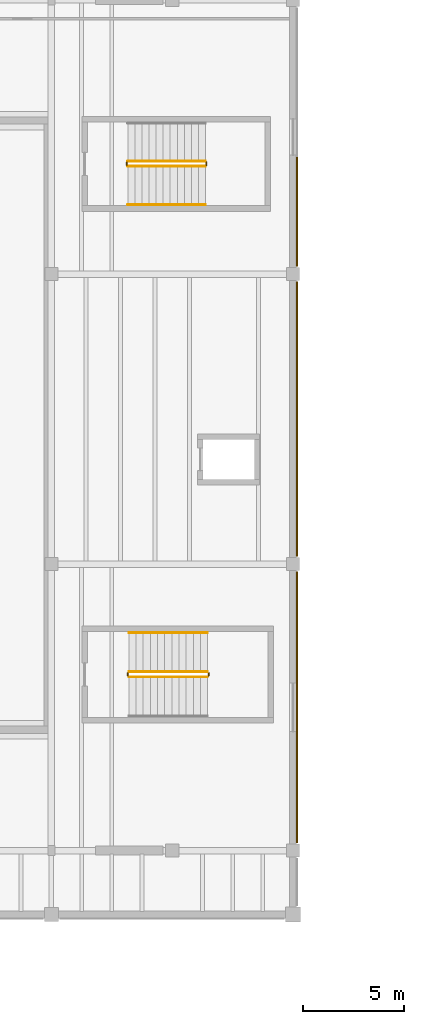
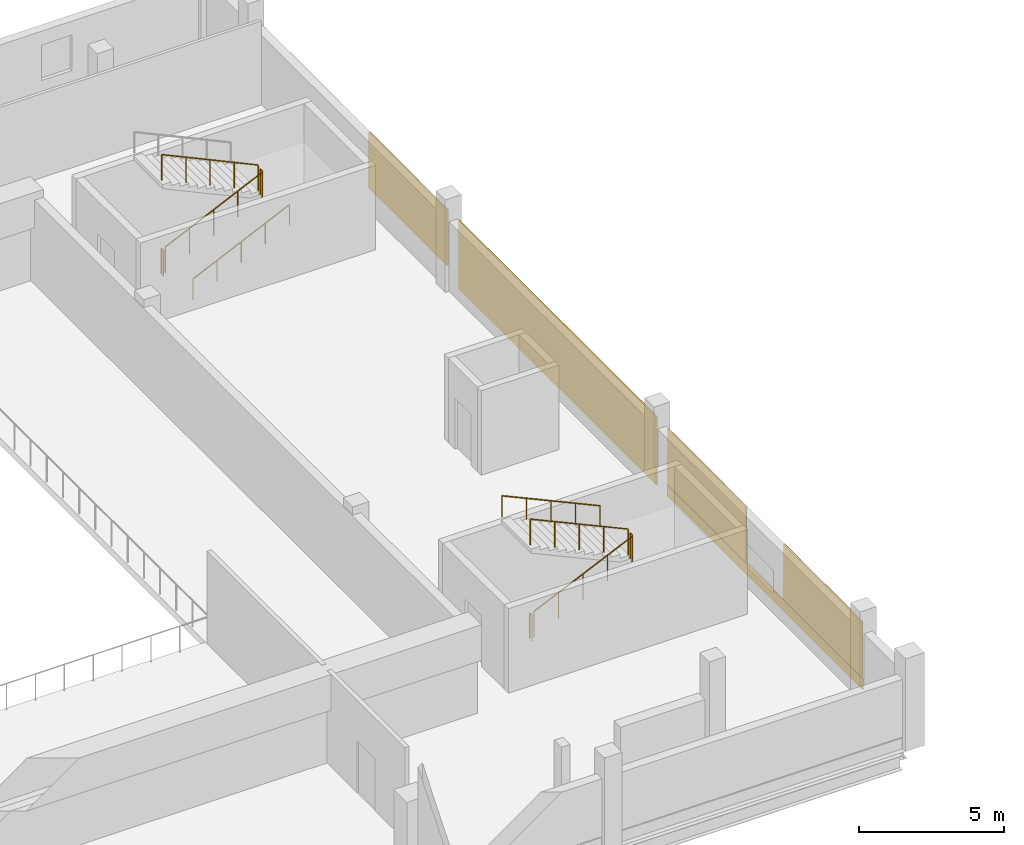
# One storey, part 16 of 19: 10 railings, 5 coverings.
"""IFC4 building model written with IfcOpenShell, lengths in metres."""

from ifc_helpers import new_model, si_unit, direction, frame, origin, origin_2d, place, context, subcontext, project, spatial, rectangle, circle, extrude, material, layer, layer_set, type_object, element, save


model = new_model("IFC4")

# Units and contexts
model_context = context("Model", 3, precision=1e-05, world=origin(), true_north=direction((0.0, 1.0)))
body_context = subcontext(model_context, "Body", "Model", "MODEL_VIEW")
ifc_project = project(units=[si_unit("LENGTHUNIT", "METRE"), si_unit("AREAUNIT", "SQUARE_METRE"), si_unit("VOLUMEUNIT", "CUBIC_METRE"), si_unit("PLANEANGLEUNIT", "RADIAN"), si_unit("MASSUNIT", "GRAM", prefix="KILO")], contexts=[model_context])

# Site, building, storey
site_placement = place(None, origin())
site = spatial("IfcSite", under=ifc_project, at=site_placement, CompositionType="ELEMENT")
building_placement = place(site_placement, origin())
building = spatial("IfcBuilding", under=site, at=building_placement, Name="Kelmvaro Bay Concert Hall", CompositionType="ELEMENT")
storey_placement = place(building_placement, frame((0.0, 0.0, 18.300048828125)))
storey = spatial("IfcBuildingStorey", under=building, at=storey_placement, Name="L04", CompositionType="ELEMENT", Elevation=18.300048828125)

# Coverings
ifc_material_1 = material(Name="Honed Florida Limestone Travertine", Category="masonry")
ifc_layer = layer(ifc_material_1, 0.054931640625)
ifc_layer_set = layer_set([ifc_layer], Name="Honed Florida Limestone Travertine")
covering_type = type_object("IfcCoveringType", Name="Honed Florida Travertine Rainscreen Cladding 55", PredefinedType="CLADDING", material=ifc_layer_set)
covering_1_placement = place(storey_placement, frame((60.195556640625, 75.68994140625, 0.0400390625), z_axis=(0.0, 0.0, 1.0), x_axis=(0.0, -1.0, 0.0)))
element("IfcCovering", 1, at=covering_1_placement, inside=storey, type_object=covering_type, Name="L04 Travertine Sill Band 0176", PredefinedType="CLADDING", context=body_context, shape_type="SweptSolid", body=[
    extrude(rectangle(XDim=13.449951171875, YDim=0.054931640625, at=origin_2d()), origin(), (0.0, 0.0, 1.0), 0.4599609375),
])
for number, where, z_axis, x_axis, name in (
    (2, (60.195556640625, 79.6923828125, 0.52001953125), (0.0, 0.0, 1.0), (0.0, -1.0, 0.0), "L04 Travertine Pier Panel 0177"),
    (3, (60.195556640625, 71.6875, 0.52001953125), (0.0, 0.0, 1.0), (0.0, -1.0, 0.0), "L04 Travertine Pier Panel 0178"),
):
    element("IfcCovering", number, at=place(storey_placement, frame(where, z_axis=z_axis, x_axis=x_axis)), inside=storey, type_object=covering_type, Name=name, PredefinedType="CLADDING", context=body_context, shape_type="SweptSolid", body=[
        extrude(rectangle(XDim=5.405029296875, YDim=0.054931640625, at=origin_2d()), origin(), (0.0, 0.0, 1.0), 2.35009765625),
    ])
covering_2_placement = place(storey_placement, frame((60.195556640625, 90.0, 0.02978515625), z_axis=(0.0, 0.0, 1.0), x_axis=(0.0, -1.0, 0.0)))
element("IfcCovering", 4, at=covering_2_placement, inside=storey, type_object=covering_type, Name="L04 Travertine Cladding Panel 0180", PredefinedType="CLADDING", context=body_context, shape_type="SweptSolid", body=[
    extrude(rectangle(XDim=13.6298828125, YDim=0.054931640625, at=origin_2d()), origin(), (0.0, 0.0, 1.0), 2.8701171875),
])
covering_3_placement = place(storey_placement, frame((60.195556640625, 100.3076171875, 0.52001953125), z_axis=(0.0, 0.0, 1.0), x_axis=(0.0, -1.0, 0.0)))
element("IfcCovering", 5, at=covering_3_placement, inside=storey, type_object=covering_type, Name="L04 Travertine Pier Panel 0184", PredefinedType="CLADDING", context=body_context, shape_type="SweptSolid", body=[
    extrude(rectangle(XDim=5.405029296875, YDim=0.054931640625, at=origin_2d()), origin(), (0.0, 0.0, 1.0), 2.35009765625),
])

# Railings
ifc_material_2 = material(Name="Brushed Stainless Steel 316", Category="steel")
railing_type_1 = type_object("IfcRailingType", Name="Stair Stainless Wall Handrail 900", PredefinedType="HANDRAIL", material=ifc_material_2)
railing_1_placement = place(storey_placement, frame((51.800048828125, 100.64990234375, 0.162353515625)))
element("IfcRailing", 6, at=railing_1_placement, inside=storey, type_object=railing_type_1, Name="L04 ST-02 stair handrail 1", PredefinedType="HANDRAIL", context=body_context, shape_type="SweptSolid", body=[
    extrude(circle(Radius=0.02392578125, at=origin_2d()), frame((0.0, 0.0, 0.8759765625), z_axis=(0.906994059696, 0.0, 0.421143414617), x_axis=(0.0, 1.0, 0.0)), (0.0, 0.0, 1.0), 4.24462890625),
    extrude(circle(Radius=0.02099609375, at=origin_2d()), origin(), (0.0, 0.0, 1.0), 0.851806640625),
    extrude(circle(Radius=0.02099609375, at=origin_2d()), frame((0.96240234375, 0.0, 0.44677734375)), (0.0, 0.0, 1.0), 0.851806640625),
    extrude(circle(Radius=0.02099609375, at=origin_2d()), frame((1.9248046875, 0.0, 0.893798828125)), (0.0, 0.0, 1.0), 0.851806640625),
    extrude(circle(Radius=0.02099609375, at=origin_2d()), frame((2.887451171875, 0.0, 1.3408203125)), (0.0, 0.0, 1.0), 0.851806640625),
    extrude(circle(Radius=0.02099609375, at=origin_2d()), frame((3.849853515625, 0.0, 1.78759765625)), (0.0, 0.0, 1.0), 0.851806640625),
])
railing_2_placement = place(storey_placement, frame((55.7548828125, 79.39990234375, 2.112548828125)))
element("IfcRailing", 7, at=railing_2_placement, inside=storey, type_object=railing_type_1, Name="L04 ST-04 stair handrail 2", PredefinedType="HANDRAIL", context=body_context, shape_type="SweptSolid", body=[
    extrude(circle(Radius=0.02392578125, at=origin_2d()), frame((0.0, 0.0, 0.8759765625), z_axis=(-0.909271070688, 0.0, 0.41620442094), x_axis=(0.0, -1.0, 0.0)), (0.0, 0.0, 1.0), 4.29443359375),
    extrude(circle(Radius=0.02099609375, at=origin_2d()), origin(), (0.0, 0.0, 1.0), 0.851806640625),
    extrude(circle(Radius=0.02099609375, at=origin_2d()), frame((-0.97607421875, 0.0, 0.44677734375)), (0.0, 0.0, 1.0), 0.851806640625),
    extrude(circle(Radius=0.02099609375, at=origin_2d()), frame((-1.952392578125, 0.0, 0.8935546875)), (0.0, 0.0, 1.0), 0.851806640625),
    extrude(circle(Radius=0.02099609375, at=origin_2d()), frame((-2.9287109375, 0.0, 1.340576171875)), (0.0, 0.0, 1.0), 0.851806640625),
    extrude(circle(Radius=0.02099609375, at=origin_2d()), frame((-3.90478515625, 0.0, 1.787353515625)), (0.0, 0.0, 1.0), 0.851806640625),
])
ifc_material_3 = material(Name="Powder-Coated Steel ASTM A500", Category="steel")
railing_type_2 = type_object("IfcRailingType", Name="Stair Well Painted Steel Guard 1100", PredefinedType="BALUSTRADE", material=ifc_material_3)
railing_3_placement = place(storey_placement, frame((51.800048828125, 102.550048828125, 0.162353515625)))
element("IfcRailing", 8, at=railing_3_placement, inside=storey, type_object=railing_type_2, Name="L04 ST-02 stair guard 1", PredefinedType="BALUSTRADE", context=body_context, shape_type="SweptSolid", body=[
    extrude(circle(Radius=0.02392578125, at=origin_2d()), frame((0.0, 0.0, 1.076171875), z_axis=(0.906994059696, 0.0, 0.421143414617), x_axis=(0.0, 1.0, 0.0)), (0.0, 0.0, 1.0), 4.24462890625),
    extrude(circle(Radius=0.02099609375, at=origin_2d()), origin(), (0.0, 0.0, 1.0), 1.052001953125),
    extrude(circle(Radius=0.02099609375, at=origin_2d()), frame((0.96240234375, 0.0, 0.44677734375)), (0.0, 0.0, 1.0), 1.052001953125),
    extrude(circle(Radius=0.02099609375, at=origin_2d()), frame((1.9248046875, 0.0, 0.893798828125)), (0.0, 0.0, 1.0), 1.052001953125),
    extrude(circle(Radius=0.02099609375, at=origin_2d()), frame((2.887451171875, 0.0, 1.3408203125)), (0.0, 0.0, 1.0), 1.052001953125),
    extrude(circle(Radius=0.02099609375, at=origin_2d()), frame((3.849853515625, 0.0, 1.78759765625)), (0.0, 0.0, 1.0), 1.052001953125),
])
railing_4_placement = place(storey_placement, frame((55.699951171875, 102.60009765625, 1.949951171875)))
element("IfcRailing", 9, at=railing_4_placement, inside=storey, type_object=railing_type_2, Name="L04 ST-02 stair guard 2", PredefinedType="BALUSTRADE", context=body_context, shape_type="SweptSolid", body=[
    extrude(circle(Radius=0.02392578125, at=origin_2d()), frame((0.0, 0.0, 1.076171875), z_axis=(0.0, 1.0, 0.0), x_axis=(-1.0, 0.0, 0.0)), (0.0, 0.0, 1.0), 0.14990234375),
    extrude(circle(Radius=0.02099609375, at=origin_2d()), origin(), (0.0, 0.0, 1.0), 1.052001953125),
    extrude(circle(Radius=0.02099609375, at=origin_2d()), frame((0.0, 0.14990234375, 0.0)), (0.0, 0.0, 1.0), 1.052001953125),
])
railing_5_placement = place(storey_placement, frame((55.64990234375, 102.800048828125, 2.112548828125)))
element("IfcRailing", 10, at=railing_5_placement, inside=storey, type_object=railing_type_2, Name="L04 ST-02 stair guard 3", PredefinedType="BALUSTRADE", context=body_context, shape_type="SweptSolid", body=[
    extrude(circle(Radius=0.02392578125, at=origin_2d()), frame((0.0, 0.0, 1.076171875), z_axis=(-0.907016029232, 0.0, 0.421096096772), x_axis=(0.0, -1.0, 0.0)), (0.0, 0.0, 1.0), 4.24462890625),
    extrude(circle(Radius=0.02099609375, at=origin_2d()), origin(), (0.0, 0.0, 1.0), 1.052001953125),
    extrude(circle(Radius=0.02099609375, at=origin_2d()), frame((-0.96240234375, 0.0, 0.44677734375)), (0.0, 0.0, 1.0), 1.052001953125),
    extrude(circle(Radius=0.02099609375, at=origin_2d()), frame((-1.9248046875, 0.0, 0.8935546875)), (0.0, 0.0, 1.0), 1.052001953125),
    extrude(circle(Radius=0.02099609375, at=origin_2d()), frame((-2.887451171875, 0.0, 1.340576171875)), (0.0, 0.0, 1.0), 1.052001953125),
    extrude(circle(Radius=0.02099609375, at=origin_2d()), frame((-3.849853515625, 0.0, 1.787353515625)), (0.0, 0.0, 1.0), 1.052001953125),
])
railing_6_placement = place(storey_placement, frame((51.75, 102.60009765625, 0.0)))
element("IfcRailing", 11, at=railing_6_placement, inside=storey, type_object=railing_type_2, Name="L04 ST-02 stair guard 4", PredefinedType="BALUSTRADE", context=body_context, shape_type="SweptSolid", body=[
    extrude(circle(Radius=0.02392578125, at=origin_2d()), frame((0.0, 0.0, 1.076171875), z_axis=(0.0, 1.0, 0.0), x_axis=(-1.0, 0.0, 0.0)), (0.0, 0.0, 1.0), 0.14990234375),
    extrude(circle(Radius=0.02099609375, at=origin_2d()), origin(), (0.0, 0.0, 1.0), 1.052001953125),
    extrude(circle(Radius=0.02099609375, at=origin_2d()), frame((0.0, 0.14990234375, 0.0)), (0.0, 0.0, 1.0), 1.052001953125),
])
railing_7_placement = place(storey_placement, frame((51.85009765625, 77.199951171875, 0.162353515625)))
element("IfcRailing", 12, at=railing_7_placement, inside=storey, type_object=railing_type_2, Name="L04 ST-04 stair guard 1", PredefinedType="BALUSTRADE", context=body_context, shape_type="SweptSolid", body=[
    extrude(circle(Radius=0.02392578125, at=origin_2d()), frame((0.0, 0.0, 1.076171875), z_axis=(0.90924955523, 0.0, 0.416251421996), x_axis=(0.0, 1.0, 0.0)), (0.0, 0.0, 1.0), 4.29443359375),
    extrude(circle(Radius=0.02099609375, at=origin_2d()), origin(), (0.0, 0.0, 1.0), 1.052001953125),
    extrude(circle(Radius=0.02099609375, at=origin_2d()), frame((0.97607421875, 0.0, 0.44677734375)), (0.0, 0.0, 1.0), 1.052001953125),
    extrude(circle(Radius=0.02099609375, at=origin_2d()), frame((1.952392578125, 0.0, 0.893798828125)), (0.0, 0.0, 1.0), 1.052001953125),
    extrude(circle(Radius=0.02099609375, at=origin_2d()), frame((2.9287109375, 0.0, 1.3408203125)), (0.0, 0.0, 1.0), 1.052001953125),
    extrude(circle(Radius=0.02099609375, at=origin_2d()), frame((3.90478515625, 0.0, 1.78759765625)), (0.0, 0.0, 1.0), 1.052001953125),
])
railing_8_placement = place(storey_placement, frame((55.804931640625, 77.25, 1.949951171875)))
element("IfcRailing", 13, at=railing_8_placement, inside=storey, type_object=railing_type_2, Name="L04 ST-04 stair guard 2", PredefinedType="BALUSTRADE", context=body_context, shape_type="SweptSolid", body=[
    extrude(circle(Radius=0.02392578125, at=origin_2d()), frame((0.0, 0.0, 1.076171875), z_axis=(0.0, 1.0, 0.0), x_axis=(-1.0, 0.0, 0.0)), (0.0, 0.0, 1.0), 0.14990234375),
    extrude(circle(Radius=0.02099609375, at=origin_2d()), origin(), (0.0, 0.0, 1.0), 1.052001953125),
    extrude(circle(Radius=0.02099609375, at=origin_2d()), frame((0.0, 0.14990234375, 0.0)), (0.0, 0.0, 1.0), 1.052001953125),
])
railing_9_placement = place(storey_placement, frame((55.7548828125, 77.449951171875, 2.112548828125)))
element("IfcRailing", 14, at=railing_9_placement, inside=storey, type_object=railing_type_2, Name="L04 ST-04 stair guard 3", PredefinedType="BALUSTRADE", context=body_context, shape_type="SweptSolid", body=[
    extrude(circle(Radius=0.02392578125, at=origin_2d()), frame((0.0, 0.0, 1.076171875), z_axis=(-0.909271070688, 0.0, 0.41620442094), x_axis=(0.0, -1.0, 0.0)), (0.0, 0.0, 1.0), 4.29443359375),
    extrude(circle(Radius=0.02099609375, at=origin_2d()), origin(), (0.0, 0.0, 1.0), 1.052001953125),
    extrude(circle(Radius=0.02099609375, at=origin_2d()), frame((-0.97607421875, 0.0, 0.44677734375)), (0.0, 0.0, 1.0), 1.052001953125),
    extrude(circle(Radius=0.02099609375, at=origin_2d()), frame((-1.952392578125, 0.0, 0.8935546875)), (0.0, 0.0, 1.0), 1.052001953125),
    extrude(circle(Radius=0.02099609375, at=origin_2d()), frame((-2.9287109375, 0.0, 1.340576171875)), (0.0, 0.0, 1.0), 1.052001953125),
    extrude(circle(Radius=0.02099609375, at=origin_2d()), frame((-3.90478515625, 0.0, 1.787353515625)), (0.0, 0.0, 1.0), 1.052001953125),
])
railing_10_placement = place(storey_placement, frame((51.800048828125, 77.25, 0.0)))
element("IfcRailing", 15, at=railing_10_placement, inside=storey, type_object=railing_type_2, Name="L04 ST-04 stair guard 4", PredefinedType="BALUSTRADE", context=body_context, shape_type="SweptSolid", body=[
    extrude(circle(Radius=0.02392578125, at=origin_2d()), frame((0.0, 0.0, 1.076171875), z_axis=(0.0, 1.0, 0.0), x_axis=(-1.0, 0.0, 0.0)), (0.0, 0.0, 1.0), 0.14990234375),
    extrude(circle(Radius=0.02099609375, at=origin_2d()), origin(), (0.0, 0.0, 1.0), 1.052001953125),
    extrude(circle(Radius=0.02099609375, at=origin_2d()), frame((0.0, 0.14990234375, 0.0)), (0.0, 0.0, 1.0), 1.052001953125),
])

save(model, "model.ifc")
